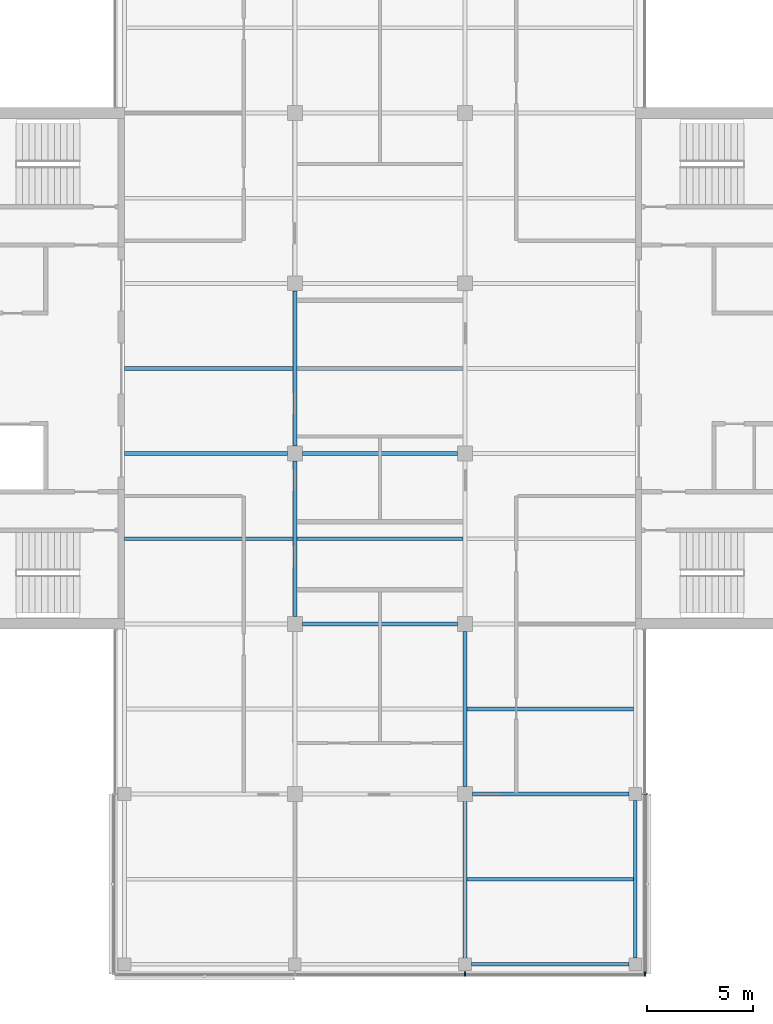
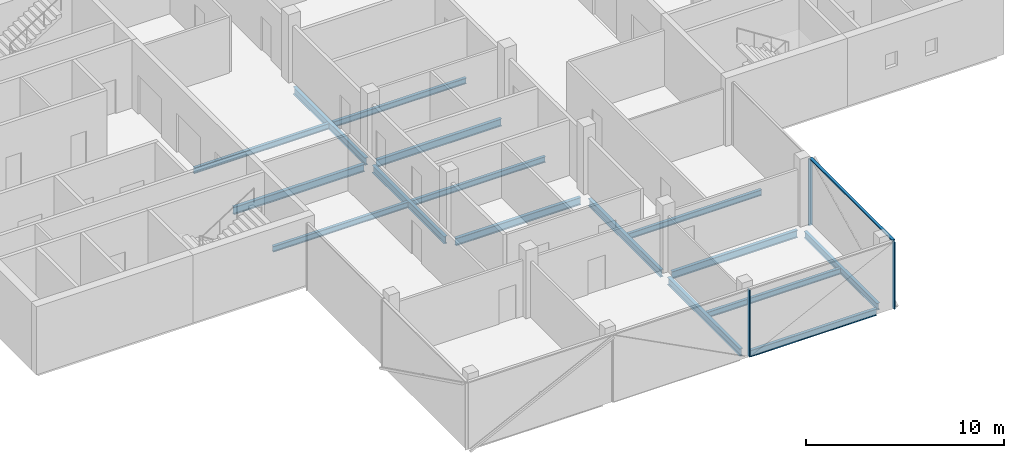
# One storey, part 3 of 16: 16 beams, 4 members, 2 elements without a shape of their own.
"""IFC4 building model written with IfcOpenShell, lengths in metres."""

import ifcopenshell
import ifcopenshell.guid

model = None  # the IFC model being written
_history = None  # IfcOwnerHistory: only IFC2X3 demands one
_inside = {}  # id of a spatial element -> (the spatial element, [elements in it])
_under = {}  # id of a project, library or spatial element -> (it, [spatial elements below it])
_declared = {}  # id of a project -> (the project, [libraries it declares])
_typed = {}  # id of a type object -> (the type object, [elements of that type])
_made_of = {}  # id of a material, layer set ... -> (it, [elements and type objects made of it])


def new_model(schema):
    """Start an empty IFC model of exactly this schema.

    Asked for "IFC4X3", IfcOpenShell would pick the latest addendum, in which some entities
    have other attributes; the version numbers below select the first issue.
    IFC2X3 requires an IfcOwnerHistory on every rooted entity: one is made here for all.
    """
    global model, _history
    if schema == "IFC4X3":
        model = ifcopenshell.file(schema_version=(4, 3, 0, 0))
    else:
        model = ifcopenshell.file(schema=schema)
    _inside.clear()
    _under.clear()
    _declared.clear()
    _typed.clear()
    _made_of.clear()
    _history = None
    if model.schema == "IFC2X3":
        org = make("IfcOrganization", Name="unknown")
        user = make(
            "IfcPersonAndOrganization",
            ThePerson=make("IfcPerson", FamilyName="unknown"),
            TheOrganization=org,
        )
        app = make(
            "IfcApplication",
            ApplicationDeveloper=org,
            Version="unknown",
            ApplicationFullName="unknown",
            ApplicationIdentifier="unknown",
        )
        _history = make(
            "IfcOwnerHistory",
            OwningUser=user,
            OwningApplication=app,
            ChangeAction="ADDED",
            CreationDate=0,
        )
    return model


def make(cls, **values):
    """One entity of the class cls with the attributes given. An attribute that is None is left unset."""
    return model.create_entity(
        cls, **{name: value for name, value in values.items() if value is not None}
    )


def rooted(cls, **values):
    """An entity with a GlobalId (a new one), such as an element, a storey or a relation."""
    return make(cls, GlobalId=ifcopenshell.guid.new(), OwnerHistory=_history, **values)


def si_unit(unit_type, name, prefix=None):
    """IfcSIUnit, for example si_unit("LENGTHUNIT", "METRE", prefix="MILLI")."""
    return make("IfcSIUnit", UnitType=unit_type, Prefix=prefix, Name=name)


def assignment(units):
    """IfcUnitAssignment: the units of a project."""
    return None if units is None else make("IfcUnitAssignment", Units=units)


def point(xyz):
    """IfcCartesianPoint."""
    return None if xyz is None else make("IfcCartesianPoint", Coordinates=xyz)


def direction(xyz):
    """IfcDirection."""
    return None if xyz is None else make("IfcDirection", DirectionRatios=xyz)


def frame(location, z_axis=None, x_axis=None):
    """IfcAxis2Placement3D, a coordinate frame: its origin and axes. An axis left out is left unset."""
    return make(
        "IfcAxis2Placement3D",
        Location=point(location),
        Axis=direction(z_axis),
        RefDirection=direction(x_axis),
    )


def frame_2d(location, x_axis=None):
    """IfcAxis2Placement2D, a coordinate frame in the plane: its origin and x axis."""
    return make(
        "IfcAxis2Placement2D", Location=point(location), RefDirection=direction(x_axis)
    )


def origin():
    """The frame at (0, 0, 0) with its axes left unset."""
    return frame((0.0, 0.0, 0.0))


def origin_2d():
    """The frame at (0, 0) in the plane with its x axis left unset."""
    return frame_2d((0.0, 0.0))


def place(relative_to, where):
    """IfcLocalPlacement: puts the frame where relative to a parent placement (None: the world)."""
    return make(
        "IfcLocalPlacement", PlacementRelTo=relative_to, RelativePlacement=where
    )


def context(
    kind, dimensions, precision=None, world=None, true_north=None, identifier=None
):
    """IfcGeometricRepresentationContext, for example the 3D "Model" context."""
    return make(
        "IfcGeometricRepresentationContext",
        ContextIdentifier=identifier,
        ContextType=kind,
        CoordinateSpaceDimension=dimensions,
        Precision=precision,
        WorldCoordinateSystem=world,
        TrueNorth=true_north,
    )


def subcontext(parent, identifier, kind, view, scale=None):
    """IfcGeometricRepresentationSubContext, for example "Body" below "Model"."""
    return make(
        "IfcGeometricRepresentationSubContext",
        ContextIdentifier=identifier,
        ContextType=kind,
        ParentContext=parent,
        TargetScale=scale,
        TargetView=view,
    )


def project(units=None, contexts=None):
    """IfcProject with its units and contexts."""
    return rooted(
        "IfcProject",
        Name="project",
        RepresentationContexts=contexts,
        UnitsInContext=assignment(units),
    )


def spatial(cls, under=None, at=None, **own):
    """A site, building, storey or space (cls), placed at a placement, below another one or the project."""
    s = rooted(cls, ObjectPlacement=at, **own)
    if under is not None:
        _under.setdefault(under.id(), (under, []))[1].append(s)
    return s


def profile(cls, at=None, kind="AREA", **sizes):
    """A parametric profile (cls). Its sizes go by their IFC names, for example OverallWidth=200.0."""
    return make(cls, ProfileType=kind, Position=at, **sizes)


def rectangle(**sizes):
    """IfcRectangleProfileDef."""
    return profile("IfcRectangleProfileDef", **sizes)


def i_section(**sizes):
    """IfcIShapeProfileDef."""
    return profile("IfcIShapeProfileDef", **sizes)


def extrude(swept, where, along, depth):
    """IfcExtrudedAreaSolid: the profile swept, set in the frame where, extruded along a direction by depth."""
    return make(
        "IfcExtrudedAreaSolid",
        SweptArea=swept,
        Position=where,
        ExtrudedDirection=direction(along),
        Depth=depth,
    )


def shape(context_of_items, identifier, shape_type, items):
    """IfcShapeRepresentation: the items that make up one representation, for example the "Body"."""
    return make(
        "IfcShapeRepresentation",
        ContextOfItems=context_of_items,
        RepresentationIdentifier=identifier,
        RepresentationType=shape_type,
        Items=items,
    )


def material(Name=None, Category=None):
    """IfcMaterial."""
    return make("IfcMaterial", Name=Name, Category=Category)


def material_profile(
    of_material, cross_section, Name=None, Category=None, Priority=None
):
    """IfcMaterialProfile: a cross section and its material."""
    return make(
        "IfcMaterialProfile",
        Name=Name,
        Material=of_material,
        Profile=cross_section,
        Priority=Priority,
        Category=Category,
    )


def profile_set(profiles, Name=None, composite=None):
    """IfcMaterialProfileSet."""
    return make(
        "IfcMaterialProfileSet",
        Name=Name,
        MaterialProfiles=profiles,
        CompositeProfile=composite,
    )


def made_of(thing, what):
    """Note that an element or type object is made of a material, layer set ...; save() writes the relation."""
    if what is not None:
        _made_of.setdefault(what.id(), (what, []))[1].append(thing)
    return thing


def type_object(cls, material=None, **own):
    """A type object (cls), such as IfcWallType, which elements share."""
    return made_of(rooted(cls, **own), material)


def element(
    cls,
    number,
    at=None,
    inside=None,
    cuts=None,
    type_object=None,
    material=None,
    context=None,
    identifier="Body",
    shape_type=None,
    held_by="IfcProductDefinitionShape",
    body=None,
    shapes=None,
    **own,
):
    """One element of the class cls, such as IfcWall. Its Tag is "e" and its number.

    at: its placement. inside: the storey or other place that contains it. cuts: it is an
    opening in that element (IfcRelVoidsElement). A single representation is given by context,
    identifier, shape_type and body (its items); several are given by shapes. held_by: the class
    of the entity that holds the representations. save() writes the other relations.
    """
    e = rooted(cls, Tag="e%d" % number, ObjectPlacement=at, **own)
    if body is not None:
        shapes = [shape(context, identifier, shape_type, body)]
    if shapes is not None:
        e.Representation = make(held_by, Representations=shapes)
    if inside is not None:
        _inside.setdefault(inside.id(), (inside, []))[1].append(e)
    if cuts is not None:
        rooted(
            "IfcRelVoidsElement", RelatingBuildingElement=cuts, RelatedOpeningElement=e
        )
    if type_object is not None:
        _typed.setdefault(type_object.id(), (type_object, []))[1].append(e)
    return made_of(e, material)


def aggregate(whole, parts):
    """IfcRelAggregates: a whole, such as a stair, and the parts it consists of."""
    return rooted("IfcRelAggregates", RelatingObject=whole, RelatedObjects=parts)


def save(model, path):
    """Write the relations noted so far, then the file.

    IfcRelAggregates (storeys below a building ...), IfcRelContainedInSpatialStructure (elements
    in a storey), IfcRelDefinesByType, IfcRelAssociatesMaterial and IfcRelDeclares: one each for
    every whole, place, type object, material and project.
    """
    for whole, parts in _under.values():
        aggregate(whole, parts)
    for where, things in _inside.values():
        rooted(
            "IfcRelContainedInSpatialStructure",
            RelatedElements=things,
            RelatingStructure=where,
        )
    for kind, things in _typed.values():
        rooted("IfcRelDefinesByType", RelatedObjects=things, RelatingType=kind)
    for what, things in _made_of.values():
        rooted("IfcRelAssociatesMaterial", RelatedObjects=things, RelatingMaterial=what)
    for by, libraries in _declared.values():
        rooted("IfcRelDeclares", RelatingContext=by, RelatedDefinitions=libraries)
    model.write(path)


model = new_model("IFC4")

# Units and contexts
model_context = context("Model", 3, precision=1e-05, world=origin(), true_north=direction((0.0, 1.0)))
body_context = subcontext(model_context, "Body", "Model", "MODEL_VIEW")
ifc_project = project(units=[si_unit("LENGTHUNIT", "METRE"), si_unit("AREAUNIT", "SQUARE_METRE"), si_unit("VOLUMEUNIT", "CUBIC_METRE"), si_unit("PLANEANGLEUNIT", "RADIAN"), si_unit("MASSUNIT", "GRAM", prefix="KILO")], contexts=[model_context])

# Site, building, storey
site_placement = place(None, origin())
site = spatial("IfcSite", under=ifc_project, at=site_placement, CompositionType="ELEMENT")
building_placement = place(site_placement, origin())
building = spatial("IfcBuilding", under=site, at=building_placement, Name="Crosswind Convention Tower", CompositionType="ELEMENT")
storey_placement = place(building_placement, frame((0.0, 0.0, 249.300048828125)))
storey = spatial("IfcBuildingStorey", under=building, at=storey_placement, Name="L53", CompositionType="ELEMENT", Elevation=249.300048828125)

# Beams
ifc_material_1 = material(Name="Steel S355", Category="steel")
ifc_material_profile_1 = material_profile(ifc_material_1, i_section(OverallWidth=0.177734375, OverallDepth=0.406494140625, WebThickness=0.0078125, FlangeThickness=0.0126953125, FilletRadius=0.01025390625, at=origin_2d()), Name="UB 406x178x60")
ifc_profile_set_1 = profile_set([ifc_material_profile_1], Name="Steel S355")
beam_type_1 = type_object("IfcBeamType", Name="Edge beam UB 406x178x60", PredefinedType="SPANDREL", material=ifc_profile_set_1)
for number, where, z_axis, x_axis, name in (
    (1, (129.300048828125, 72.0, -0.503173828125), (1.0, 0.0, 0.0), (0.0, 1.0, 0.0), "B15 L53 edge beam 9"),
    (2, (137.0, 72.300048828125, -0.503173828125), (0.0, 1.0, 0.0), (-1.0, 0.0, 0.0), "B15 L53 edge beam 11"),
):
    element("IfcBeam", number, at=place(storey_placement, frame(where, z_axis=z_axis, x_axis=x_axis)), inside=storey, type_object=beam_type_1, Name=name, PredefinedType="SPANDREL", context=body_context, shape_type="SweptSolid", body=[
        extrude(i_section(OverallWidth=0.177734375, OverallDepth=0.406494140625, WebThickness=0.0078125, FlangeThickness=0.0126953125, FilletRadius=0.01025390625, at=origin_2d()), origin(), (0.0, 0.0, 1.0), 7.39990234375),
    ])
ifc_material_profile_2 = material_profile(ifc_material_1, i_section(OverallWidth=0.18994140625, OverallDepth=0.45361328125, WebThickness=0.008544921875, FlangeThickness=0.0126953125, FilletRadius=0.01025390625, at=origin_2d()), Name="UB 457x191x67")
ifc_profile_set_2 = profile_set([ifc_material_profile_2], Name="Steel S355")
beam_type_2 = type_object("IfcBeamType", Name="Girder UB 457x191x67", PredefinedType="BEAM", material=ifc_profile_set_2)
for number, where, z_axis, x_axis, name in (
    (3, (121.0, 88.35009765625, -0.52685546875), (0.0, 1.0, 0.0), (-1.0, 0.0, 0.0), "B1 L53 girder 5"),
    (4, (121.0, 96.35009765625, -0.52685546875), (0.0, 1.0, 0.0), (-1.0, 0.0, 0.0), "B1 L53 girder 6"),
    (5, (121.35009765625, 88.0, -0.52685546875), (1.0, 0.0, 0.0), (0.0, 1.0, 0.0), "B1 L53 girder 11"),
    (6, (121.35009765625, 96.0, -0.52685546875), (1.0, 0.0, 0.0), (0.0, 1.0, 0.0), "B1 L53 girder 12"),
):
    element("IfcBeam", number, at=place(storey_placement, frame(where, z_axis=z_axis, x_axis=x_axis)), inside=storey, type_object=beam_type_2, Name=name, PredefinedType="BEAM", context=body_context, shape_type="SweptSolid", body=[
        extrude(i_section(OverallWidth=0.18994140625, OverallDepth=0.45361328125, WebThickness=0.008544921875, FlangeThickness=0.0126953125, FilletRadius=0.01025390625, at=origin_2d()), origin(), (0.0, 0.0, 1.0), 7.2998046875),
    ])
beam_1_placement = place(storey_placement, frame((129.0, 72.300048828125, -0.52685546875), z_axis=(0.0, 1.0, 0.0), x_axis=(-1.0, 0.0, 0.0)))
element("IfcBeam", 7, at=beam_1_placement, inside=storey, type_object=beam_type_2, Name="B1 L53 girder 16", PredefinedType="BEAM", context=body_context, shape_type="SweptSolid", body=[
    extrude(i_section(OverallWidth=0.18994140625, OverallDepth=0.45361328125, WebThickness=0.008544921875, FlangeThickness=0.0126953125, FilletRadius=0.01025390625, at=origin_2d()), origin(), (0.0, 0.0, 1.0), 7.349853515625),
])
beam_2_placement = place(storey_placement, frame((129.0, 80.35009765625, -0.52685546875), z_axis=(0.0, 1.0, 0.0), x_axis=(-1.0, 0.0, 0.0)))
element("IfcBeam", 8, at=beam_2_placement, inside=storey, type_object=beam_type_2, Name="B1 L53 girder 17", PredefinedType="BEAM", context=body_context, shape_type="SweptSolid", body=[
    extrude(i_section(OverallWidth=0.18994140625, OverallDepth=0.45361328125, WebThickness=0.008544921875, FlangeThickness=0.0126953125, FilletRadius=0.01025390625, at=origin_2d()), origin(), (0.0, 0.0, 1.0), 7.2998046875),
])
beam_3_placement = place(storey_placement, frame((129.35009765625, 80.0, -0.52685546875), z_axis=(1.0, 0.0, 0.0), x_axis=(0.0, 1.0, 0.0)))
element("IfcBeam", 9, at=beam_3_placement, inside=storey, type_object=beam_type_2, Name="B1 L53 girder 23", PredefinedType="BEAM", context=body_context, shape_type="SweptSolid", body=[
    extrude(i_section(OverallWidth=0.18994140625, OverallDepth=0.45361328125, WebThickness=0.008544921875, FlangeThickness=0.0126953125, FilletRadius=0.01025390625, at=origin_2d()), origin(), (0.0, 0.0, 1.0), 7.349853515625),
])
ifc_material_profile_3 = material_profile(ifc_material_1, i_section(OverallWidth=0.1904296875, OverallDepth=0.457275390625, WebThickness=0.009033203125, FlangeThickness=0.014404296875, FilletRadius=0.01025390625, at=origin_2d()), Name="UB 457x191x75")
ifc_profile_set_3 = profile_set([ifc_material_profile_3], Name="Steel S355")
beam_type_3 = type_object("IfcBeamType", Name="Girder at core wall UB 457x191x75", PredefinedType="BEAM", material=ifc_profile_set_3)
beam_4_placement = place(storey_placement, frame((113.0, 96.0, -0.528564453125), z_axis=(1.0, 0.0, 0.0), x_axis=(0.0, 1.0, 0.0)))
element("IfcBeam", 10, at=beam_4_placement, inside=storey, type_object=beam_type_3, Name="B22 L53 girder at core wall 2", PredefinedType="BEAM", context=body_context, shape_type="SweptSolid", body=[
    extrude(i_section(OverallWidth=0.1904296875, OverallDepth=0.457275390625, WebThickness=0.009033203125, FlangeThickness=0.014404296875, FilletRadius=0.01025390625, at=origin_2d()), origin(), (0.0, 0.0, 1.0), 7.64990234375),
])

# Curtain wall, members
ifc_material_2 = material(Name="Aluminium unitised curtain wall", Category="aluminium")
curtain_wall_type = type_object("IfcCurtainWallType", Name="OFFICE UNITISED WALL 220", PredefinedType="USERDEFINED", material=ifc_material_2)
curtain_wall_1_placement = place(storey_placement, origin())
curtain_wall_1 = element("IfcCurtainWall", 11, at=curtain_wall_1_placement, inside=storey, type_object=curtain_wall_type, Name="CW3 L53 S-TIP 1", ObjectType="UNITISED", PredefinedType="USERDEFINED")
ifc_material_3 = material(Name="Aluminium mullion", Category="aluminium")
ifc_material_profile_4 = material_profile(ifc_material_3, rectangle(XDim=0.219970703125, YDim=0.070068359375, at=origin_2d()), Name="AL 220X70")
ifc_profile_set_4 = profile_set([ifc_material_profile_4], Name="Aluminium mullion")
member_type_1 = type_object("IfcMemberType", Name="MULLION 70X220", PredefinedType="MULLION", material=ifc_profile_set_4)
member_1_placement = place(storey_placement, frame((129.0, 71.5400390625, -0.300048828125), z_axis=(0.0, 0.0, 1.0), x_axis=(0.0, -1.0, 0.0)))
member_1 = element("IfcMember", 12, at=member_1_placement, type_object=member_type_1, Name="CW3 mullion 3", PredefinedType="MULLION", context=body_context, shape_type="SweptSolid", body=[
    extrude(rectangle(XDim=0.219970703125, YDim=0.070068359375, at=origin_2d()), origin(), (0.0, 0.0, 1.0), 4.1298828125),
])
member_2_placement = place(storey_placement, frame((137.4599609375, 71.5400390625, -0.300048828125), z_axis=(0.0, 0.0, 1.0), x_axis=(0.0, -1.0, 0.0)))
member_2 = element("IfcMember", 13, at=member_2_placement, type_object=member_type_1, Name="CW3 mullion 4", PredefinedType="MULLION", context=body_context, shape_type="SweptSolid", body=[
    extrude(rectangle(XDim=0.219970703125, YDim=0.070068359375, at=origin_2d()), origin(), (0.0, 0.0, 1.0), 4.1298828125),
])
aggregate(curtain_wall_1, [member_1, member_2])

# Curtain wall, member
curtain_wall_2_placement = place(storey_placement, origin())
curtain_wall_2 = element("IfcCurtainWall", 14, at=curtain_wall_2_placement, inside=storey, type_object=curtain_wall_type, Name="CW3 L53 S-E 1", ObjectType="UNITISED", PredefinedType="USERDEFINED")
member_3_placement = place(storey_placement, frame((137.4599609375, 80.0, -0.300048828125), z_axis=(0.0, 0.0, 1.0), x_axis=(1.0, 0.0, 0.0)))
member_3 = element("IfcMember", 15, at=member_3_placement, type_object=member_type_1, Name="CW3 mullion 2", PredefinedType="MULLION", context=body_context, shape_type="SweptSolid", body=[
    extrude(rectangle(XDim=0.219970703125, YDim=0.070068359375, at=origin_2d()), origin(), (0.0, 0.0, 1.0), 4.1298828125),
])

# Beams
ifc_material_profile_5 = material_profile(ifc_material_1, i_section(OverallWidth=0.17138671875, OverallDepth=0.355712890625, WebThickness=0.00732421875, FlangeThickness=0.011474609375, FilletRadius=0.01025390625, at=origin_2d()), Name="UB 356x171x51")
ifc_profile_set_5 = profile_set([ifc_material_profile_5], Name="Steel S355")
beam_type_4 = type_object("IfcBeamType", Name="Secondary beam UB 356x171x51", PredefinedType="JOIST", material=ifc_profile_set_5)
for number, where, z_axis, x_axis, name in (
    (16, (113.0, 92.0, -0.477783203125), (1.0, 0.0, 0.0), (0.0, 1.0, 0.0), "B8 L53 secondary beam 1"),
    (17, (113.0, 100.0, -0.477783203125), (1.0, 0.0, 0.0), (0.0, 1.0, 0.0), "B8 L53 secondary beam 2"),
):
    element("IfcBeam", number, at=place(storey_placement, frame(where, z_axis=z_axis, x_axis=x_axis)), inside=storey, type_object=beam_type_4, Name=name, PredefinedType="JOIST", context=body_context, shape_type="SweptSolid", body=[
        extrude(i_section(OverallWidth=0.17138671875, OverallDepth=0.355712890625, WebThickness=0.00732421875, FlangeThickness=0.011474609375, FilletRadius=0.01025390625, at=origin_2d()), origin(), (0.0, 0.0, 1.0), 7.905029296875),
    ])
for number, where, z_axis, x_axis, name in (
    (18, (121.094970703125, 92.0, -0.477783203125), (1.0, 0.0, 0.0), (0.0, 1.0, 0.0), "B8 L53 secondary beam 10"),
    (19, (121.094970703125, 100.0, -0.477783203125), (1.0, 0.0, 0.0), (0.0, 1.0, 0.0), "B8 L53 secondary beam 11"),
):
    element("IfcBeam", number, at=place(storey_placement, frame(where, z_axis=z_axis, x_axis=x_axis)), inside=storey, type_object=beam_type_4, Name=name, PredefinedType="JOIST", context=body_context, shape_type="SweptSolid", body=[
        extrude(i_section(OverallWidth=0.17138671875, OverallDepth=0.355712890625, WebThickness=0.00732421875, FlangeThickness=0.011474609375, FilletRadius=0.01025390625, at=origin_2d()), origin(), (0.0, 0.0, 1.0), 7.81005859375),
    ])
for number, where, z_axis, x_axis, name in (
    (20, (129.094970703125, 76.0, -0.477783203125), (1.0, 0.0, 0.0), (0.0, 1.0, 0.0), "B8 L53 secondary beam 15"),
    (21, (129.094970703125, 84.0, -0.477783203125), (1.0, 0.0, 0.0), (0.0, 1.0, 0.0), "B8 L53 secondary beam 16"),
):
    element("IfcBeam", number, at=place(storey_placement, frame(where, z_axis=z_axis, x_axis=x_axis)), inside=storey, type_object=beam_type_4, Name=name, PredefinedType="JOIST", context=body_context, shape_type="SweptSolid", body=[
        extrude(i_section(OverallWidth=0.17138671875, OverallDepth=0.355712890625, WebThickness=0.00732421875, FlangeThickness=0.011474609375, FilletRadius=0.01025390625, at=origin_2d()), origin(), (0.0, 0.0, 1.0), 7.816162109375),
    ])

# Member
ifc_material_4 = material(Name="Aluminium transom", Category="aluminium")
ifc_material_profile_6 = material_profile(ifc_material_4, rectangle(XDim=0.159912109375, YDim=0.070068359375, at=origin_2d()), Name="AL 160X70")
ifc_profile_set_6 = profile_set([ifc_material_profile_6], Name="Aluminium transom")
member_type_2 = type_object("IfcMemberType", Name="TRANSOM 70X160", PredefinedType="USERDEFINED", material=ifc_profile_set_6)
member_4_placement = place(storey_placement, frame((137.4599609375, 71.574951171875, 3.864990234375), z_axis=(0.0, 1.0, 0.0), x_axis=(-1.0, 0.0, 0.0)))
member_4 = element("IfcMember", 22, at=member_4_placement, type_object=member_type_2, Name="CW3 transom", ObjectType="TRANSOM", PredefinedType="USERDEFINED", context=body_context, shape_type="SweptSolid", body=[
    extrude(rectangle(XDim=0.159912109375, YDim=0.070068359375, at=origin_2d()), origin(), (0.0, 0.0, 1.0), 8.39013671875),
])

aggregate(curtain_wall_2, [member_3, member_4])

save(model, "model.ifc")
